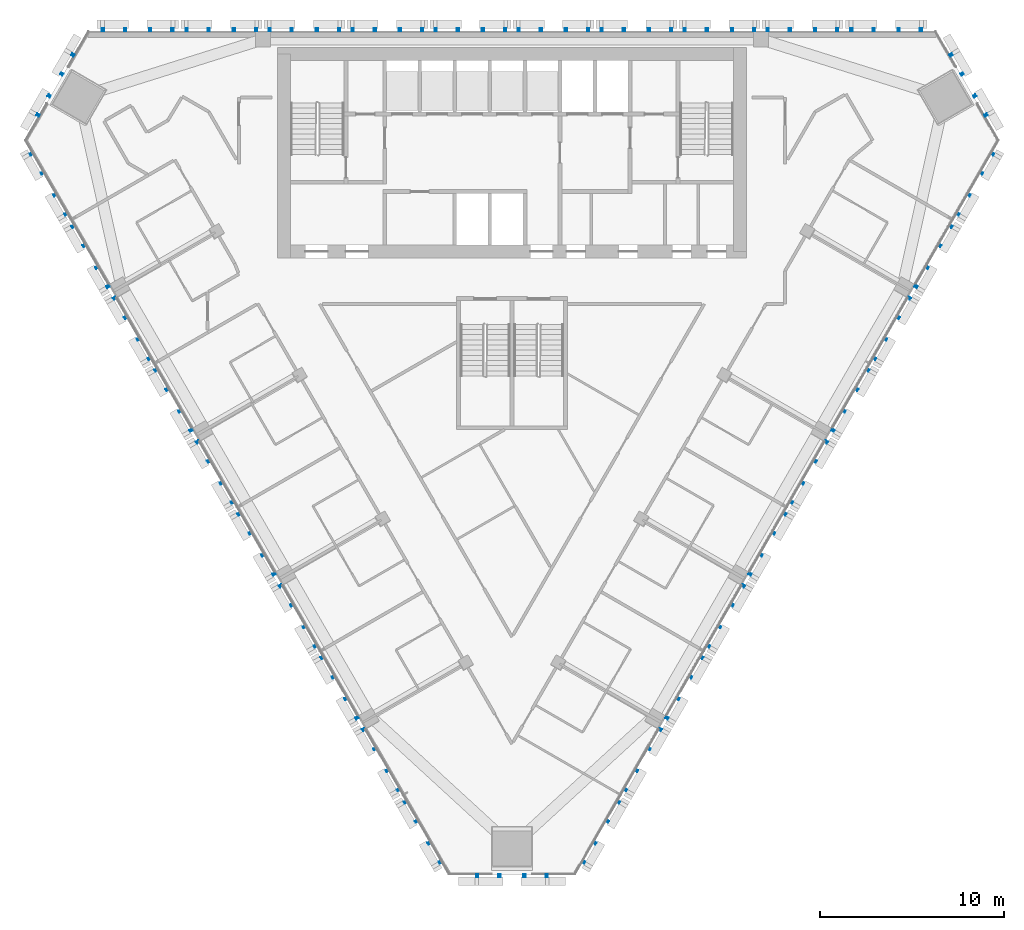
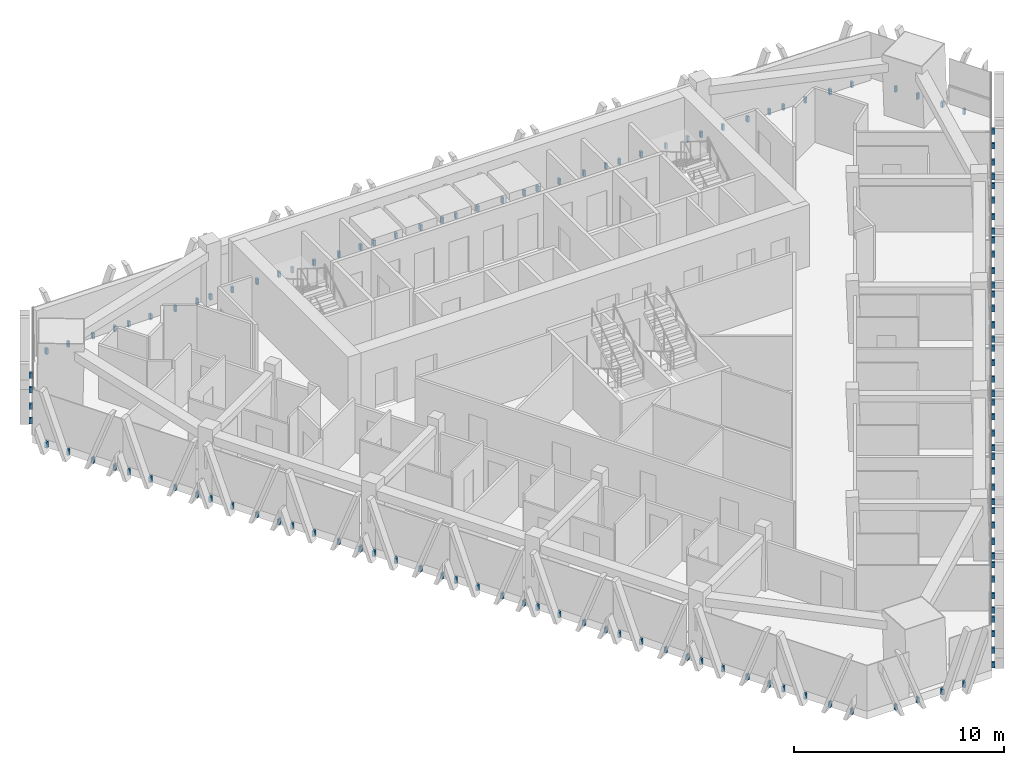
# One storey, part 13 of 16: 6 discrete accessories.
"""IFC4 building model written with IfcOpenShell, lengths in metres."""

from ifc_helpers import new_model, si_unit, direction, frame, origin, place, context, subcontext, project, spatial, polyline, outline, extrude, source, transform, mapped, material, type_object, element, save


model = new_model("IFC4")

# Units and contexts
model_context = context("Model", 3, precision=1e-05, world=origin(), true_north=direction((0.0, 1.0)))
body_context = subcontext(model_context, "Body", "Model", "MODEL_VIEW")
ifc_project = project(units=[si_unit("LENGTHUNIT", "METRE"), si_unit("AREAUNIT", "SQUARE_METRE"), si_unit("VOLUMEUNIT", "CUBIC_METRE"), si_unit("PLANEANGLEUNIT", "RADIAN"), si_unit("MASSUNIT", "GRAM", prefix="KILO")], contexts=[model_context])

# Site, building, storey
site_placement = place(None, origin())
site = spatial("IfcSite", under=ifc_project, at=site_placement, CompositionType="ELEMENT")
building_placement = place(site_placement, origin())
building = spatial("IfcBuilding", under=site, at=building_placement, Name="Altiplano Prism Tower", CompositionType="ELEMENT")
storey_placement = place(building_placement, frame((0.0, 0.0, 174.60009765625)))
storey = spatial("IfcBuildingStorey", under=building, at=storey_placement, Name="L45", CompositionType="ELEMENT", Elevation=174.60009765625)

# Discrete accessories
ifc_material = material(Name="Stainless steel", Category="steel")
discrete_accessory_type = type_object("IfcDiscreteAccessoryType", Name="Stone fin fixing prongs", PredefinedType="USERDEFINED", material=ifc_material)
shared_shape_1 = source(origin(), body_context, "Body", "SweptSolid", [
    extrude(outline(polyline([(-1.94189453125, 0.06005859375), (-1.822021484375, 0.06005859375), (-1.822021484375, 0.389892578125), (-1.94189453125, 0.389892578125), (-1.94189453125, 0.06005859375)])), frame((0.0, 0.0, 0.0), z_axis=(0.0, -1.0, 0.0), x_axis=(1.0, 0.0, 0.0)), (0.0, 0.0, 1.0), 0.14990234375),
    extrude(outline(polyline([(-0.741943359375, 0.06005859375), (-0.621826171875, 0.06005859375), (-0.621826171875, 0.389892578125), (-0.741943359375, 0.389892578125), (-0.741943359375, 0.06005859375)])), frame((0.0, 0.0, 0.0), z_axis=(0.0, -1.0, 0.0), x_axis=(1.0, 0.0, 0.0)), (0.0, 0.0, 1.0), 0.14990234375),
    extrude(outline(polyline([(0.621826171875, 0.06005859375), (0.741943359375, 0.06005859375), (0.741943359375, 0.389892578125), (0.621826171875, 0.389892578125), (0.621826171875, 0.06005859375)])), frame((0.0, 0.0, 0.0), z_axis=(0.0, -1.0, 0.0), x_axis=(1.0, 0.0, 0.0)), (0.0, 0.0, 1.0), 0.14990234375),
    extrude(outline(polyline([(1.822021484375, 0.06005859375), (1.94189453125, 0.06005859375), (1.94189453125, 0.389892578125), (1.822021484375, 0.389892578125), (1.822021484375, 0.06005859375)])), frame((0.0, 0.0, 0.0), z_axis=(0.0, -1.0, 0.0), x_axis=(1.0, 0.0, 0.0)), (0.0, 0.0, 1.0), 0.14990234375),
])
discrete_accessory_1_placement = place(storey_placement, origin())
element("IfcDiscreteAccessory", 1, at=discrete_accessory_1_placement, inside=storey, type_object=discrete_accessory_type, Name="Fin fixings L45 north face", ObjectType="BRACKET", PredefinedType="USERDEFINED", context=body_context, shape_type="MappedRepresentation", body=[
    mapped(shared_shape_1, transform((105.284912109375, 105.0, -0.4501953125), x_axis=(-1.0, 0.0, 0.0), y_axis=(0.0, -1.0, 0.0), z_axis=(0.0, 0.0, 1.0))),
    mapped(shared_shape_1, transform((100.75, 105.0, -0.4501953125), x_axis=(-1.0, 0.0, 0.0), y_axis=(0.0, -1.0, 0.0), z_axis=(0.0, 0.0, 1.0))),
    mapped(shared_shape_1, transform((96.25, 105.0, -0.4501953125), x_axis=(-1.0, 0.0, 0.0), y_axis=(0.0, -1.0, 0.0), z_axis=(0.0, 0.0, 1.0))),
    mapped(shared_shape_1, transform((91.75, 105.0, -0.4501953125), x_axis=(-1.0, 0.0, 0.0), y_axis=(0.0, -1.0, 0.0), z_axis=(0.0, 0.0, 1.0))),
    mapped(shared_shape_1, transform((87.25, 105.0, -0.4501953125), x_axis=(-1.0, 0.0, 0.0), y_axis=(0.0, -1.0, 0.0), z_axis=(0.0, 0.0, 1.0))),
    mapped(shared_shape_1, transform((82.75, 105.0, -0.4501953125), x_axis=(-1.0, 0.0, 0.0), y_axis=(0.0, -1.0, 0.0), z_axis=(0.0, 0.0, 1.0))),
    mapped(shared_shape_1, transform((78.25, 105.0, -0.4501953125), x_axis=(-1.0, 0.0, 0.0), y_axis=(0.0, -1.0, 0.0), z_axis=(0.0, 0.0, 1.0))),
    mapped(shared_shape_1, transform((73.75, 105.0, -0.4501953125), x_axis=(-1.0, 0.0, 0.0), y_axis=(0.0, -1.0, 0.0), z_axis=(0.0, 0.0, 1.0))),
    mapped(shared_shape_1, transform((69.25, 105.0, -0.4501953125), x_axis=(-1.0, 0.0, 0.0), y_axis=(0.0, -1.0, 0.0), z_axis=(0.0, 0.0, 1.0))),
    mapped(shared_shape_1, transform((64.715087890625, 105.0, -0.4501953125), x_axis=(-1.0, 0.0, 0.0), y_axis=(0.0, -1.0, 0.0), z_axis=(0.0, 0.0, 1.0))),
])
discrete_accessory_2_placement = place(storey_placement, origin())
element("IfcDiscreteAccessory", 2, at=discrete_accessory_2_placement, inside=storey, type_object=discrete_accessory_type, Name="Fin fixings L45 south-west face", ObjectType="BRACKET", PredefinedType="USERDEFINED", context=body_context, shape_type="MappedRepresentation", body=[
    mapped(shared_shape_1, transform((59.95068359375, 96.74755859375, -0.4501953125), x_axis=(0.499999994108, -0.866025407186, 0.0), y_axis=(0.866025407186, 0.499999994108, 0.0), z_axis=(0.0, 0.0, 1.0))),
    mapped(shared_shape_1, transform((62.218017578125, 92.8203125, -0.4501953125), x_axis=(0.499999994108, -0.866025407186, 0.0), y_axis=(0.866025407186, 0.499999994108, 0.0), z_axis=(0.0, 0.0, 1.0))),
    mapped(shared_shape_1, transform((64.468017578125, 88.923095703125, -0.4501953125), x_axis=(0.499999994108, -0.866025407186, 0.0), y_axis=(0.866025407186, 0.499999994108, 0.0), z_axis=(0.0, 0.0, 1.0))),
    mapped(shared_shape_1, transform((66.718017578125, 85.026123046875, -0.4501953125), x_axis=(0.499999994108, -0.866025407186, 0.0), y_axis=(0.866025407186, 0.499999994108, 0.0), z_axis=(0.0, 0.0, 1.0))),
    mapped(shared_shape_1, transform((68.968017578125, 81.12890625, -0.4501953125), x_axis=(0.499999994108, -0.866025407186, 0.0), y_axis=(0.866025407186, 0.499999994108, 0.0), z_axis=(0.0, 0.0, 1.0))),
    mapped(shared_shape_1, transform((71.218017578125, 77.23193359375, -0.4501953125), x_axis=(0.499999994108, -0.866025407186, 0.0), y_axis=(0.866025407186, 0.499999994108, 0.0), z_axis=(0.0, 0.0, 1.0))),
    mapped(shared_shape_1, transform((73.468017578125, 73.334716796875, -0.4501953125), x_axis=(0.499999994108, -0.866025407186, 0.0), y_axis=(0.866025407186, 0.499999994108, 0.0), z_axis=(0.0, 0.0, 1.0))),
    mapped(shared_shape_1, transform((75.718017578125, 69.4375, -0.4501953125), x_axis=(0.499999994108, -0.866025407186, 0.0), y_axis=(0.866025407186, 0.499999994108, 0.0), z_axis=(0.0, 0.0, 1.0))),
    mapped(shared_shape_1, transform((77.968017578125, 65.54052734375, -0.4501953125), x_axis=(0.499999994108, -0.866025407186, 0.0), y_axis=(0.866025407186, 0.499999994108, 0.0), z_axis=(0.0, 0.0, 1.0))),
    mapped(shared_shape_1, transform((80.2353515625, 61.61328125, -0.4501953125), x_axis=(0.499999994108, -0.866025407186, 0.0), y_axis=(0.866025407186, 0.499999994108, 0.0), z_axis=(0.0, 0.0, 1.0))),
])
discrete_accessory_3_placement = place(storey_placement, origin())
element("IfcDiscreteAccessory", 3, at=discrete_accessory_3_placement, inside=storey, type_object=discrete_accessory_type, Name="Fin fixings L45 south-east face", ObjectType="BRACKET", PredefinedType="USERDEFINED", context=body_context, shape_type="MappedRepresentation", body=[
    mapped(shared_shape_1, transform((89.7646484375, 61.61328125, -0.4501953125), x_axis=(0.499999994108, 0.866025407186, 0.0), y_axis=(-0.866025407186, 0.499999994108, 0.0), z_axis=(0.0, 0.0, 1.0))),
    mapped(shared_shape_1, transform((92.031982421875, 65.54052734375, -0.4501953125), x_axis=(0.499999994108, 0.866025407186, 0.0), y_axis=(-0.866025407186, 0.499999994108, 0.0), z_axis=(0.0, 0.0, 1.0))),
    mapped(shared_shape_1, transform((94.281982421875, 69.4375, -0.4501953125), x_axis=(0.499999994108, 0.866025407186, 0.0), y_axis=(-0.866025407186, 0.499999994108, 0.0), z_axis=(0.0, 0.0, 1.0))),
    mapped(shared_shape_1, transform((96.531982421875, 73.334716796875, -0.4501953125), x_axis=(0.499999994108, 0.866025407186, 0.0), y_axis=(-0.866025407186, 0.499999994108, 0.0), z_axis=(0.0, 0.0, 1.0))),
    mapped(shared_shape_1, transform((98.781982421875, 77.23193359375, -0.4501953125), x_axis=(0.499999994108, 0.866025407186, 0.0), y_axis=(-0.866025407186, 0.499999994108, 0.0), z_axis=(0.0, 0.0, 1.0))),
    mapped(shared_shape_1, transform((101.031982421875, 81.12890625, -0.4501953125), x_axis=(0.499999994108, 0.866025407186, 0.0), y_axis=(-0.866025407186, 0.499999994108, 0.0), z_axis=(0.0, 0.0, 1.0))),
    mapped(shared_shape_1, transform((103.281982421875, 85.026123046875, -0.4501953125), x_axis=(0.499999994108, 0.866025407186, 0.0), y_axis=(-0.866025407186, 0.499999994108, 0.0), z_axis=(0.0, 0.0, 1.0))),
    mapped(shared_shape_1, transform((105.531982421875, 88.923095703125, -0.4501953125), x_axis=(0.499999994108, 0.866025407186, 0.0), y_axis=(-0.866025407186, 0.499999994108, 0.0), z_axis=(0.0, 0.0, 1.0))),
    mapped(shared_shape_1, transform((107.781982421875, 92.8203125, -0.4501953125), x_axis=(0.499999994108, 0.866025407186, 0.0), y_axis=(-0.866025407186, 0.499999994108, 0.0), z_axis=(0.0, 0.0, 1.0))),
    mapped(shared_shape_1, transform((110.04931640625, 96.74755859375, -0.4501953125), x_axis=(0.499999994108, 0.866025407186, 0.0), y_axis=(-0.866025407186, 0.499999994108, 0.0), z_axis=(0.0, 0.0, 1.0))),
])
shared_shape_2 = source(origin(), body_context, "Body", "SweptSolid", [
    extrude(outline(polyline([(-1.94189453125, 0.06005859375), (-1.822021484375, 0.06005859375), (-1.822021484375, 0.389892578125), (-1.94189453125, 0.389892578125), (-1.94189453125, 0.06005859375)])), frame((0.0, 0.0, 0.0), z_axis=(0.0, -1.0, 0.0), x_axis=(1.0, 0.0, 0.0)), (0.0, 0.0, 1.0), 0.14990234375),
    extrude(outline(polyline([(-0.741943359375, 0.06005859375), (-0.621826171875, 0.06005859375), (-0.621826171875, 0.389892578125), (-0.741943359375, 0.389892578125), (-0.741943359375, 0.06005859375)])), frame((0.0, 0.0, 0.0), z_axis=(0.0, -1.0, 0.0), x_axis=(1.0, 0.0, 0.0)), (0.0, 0.0, 1.0), 0.14990234375),
    extrude(outline(polyline([(0.621826171875, 0.06005859375), (0.741943359375, 0.06005859375), (0.741943359375, 0.389892578125), (0.621826171875, 0.389892578125), (0.621826171875, 0.06005859375)])), frame((0.0, 0.0, 0.0), z_axis=(0.0, -1.0, 0.0), x_axis=(1.0, 0.0, 0.0)), (0.0, 0.0, 1.0), 0.14990234375),
    extrude(outline(polyline([(1.822021484375, 0.06005859375), (1.94189453125, 0.06005859375), (1.94189453125, 0.389892578125), (1.822021484375, 0.389892578125), (1.822021484375, 0.06005859375)])), frame((0.0, 0.0, 0.0), z_axis=(0.0, -1.0, 0.0), x_axis=(1.0, 0.0, 0.0)), (0.0, 0.0, 1.0), 0.14990234375),
])
discrete_accessory_4_placement = place(storey_placement, origin())
element("IfcDiscreteAccessory", 4, at=discrete_accessory_4_placement, inside=storey, type_object=discrete_accessory_type, Name="Fin fixings L45 north-west chamfer", ObjectType="BRACKET", PredefinedType="USERDEFINED", context=body_context, shape_type="MappedRepresentation", body=[
    mapped(shared_shape_2, transform((60.3193359375, 102.036376953125, -0.4501953125), x_axis=(-0.500000020103, -0.866025392178, 0.0), y_axis=(0.866025392178, -0.500000020103, 0.0), z_axis=(0.0, 0.0, 1.0))),
])
discrete_accessory_5_placement = place(storey_placement, origin())
element("IfcDiscreteAccessory", 5, at=discrete_accessory_5_placement, inside=storey, type_object=discrete_accessory_type, Name="Fin fixings L45 south chamfer", ObjectType="BRACKET", PredefinedType="USERDEFINED", context=body_context, shape_type="MappedRepresentation", body=[
    mapped(shared_shape_2, transform((85.0, 59.2880859375, -0.4501953125), x_axis=(1.0, 0.0, 0.0), y_axis=(0.0, 1.0, 0.0), z_axis=(0.0, 0.0, 1.0))),
])
discrete_accessory_6_placement = place(storey_placement, origin())
element("IfcDiscreteAccessory", 6, at=discrete_accessory_6_placement, inside=storey, type_object=discrete_accessory_type, Name="Fin fixings L45 north-east chamfer", ObjectType="BRACKET", PredefinedType="USERDEFINED", context=body_context, shape_type="MappedRepresentation", body=[
    mapped(shared_shape_2, transform((109.6806640625, 102.036376953125, -0.4501953125), x_axis=(-0.500000020103, 0.866025392178, 0.0), y_axis=(-0.866025392178, -0.500000020103, 0.0), z_axis=(0.0, 0.0, 1.0))),
])

save(model, "model.ifc")
